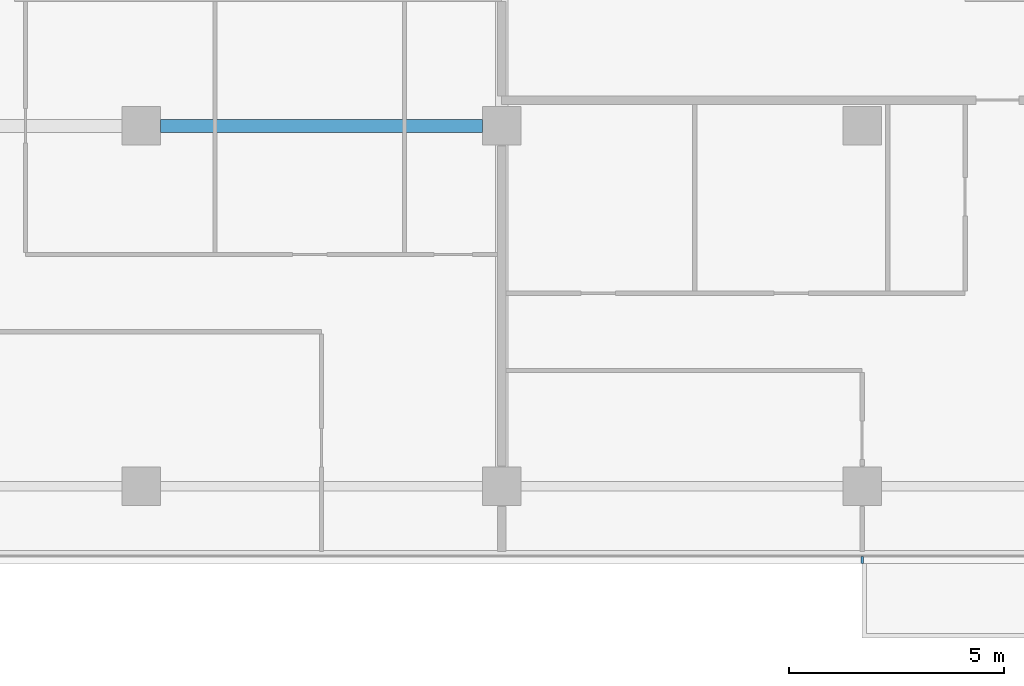
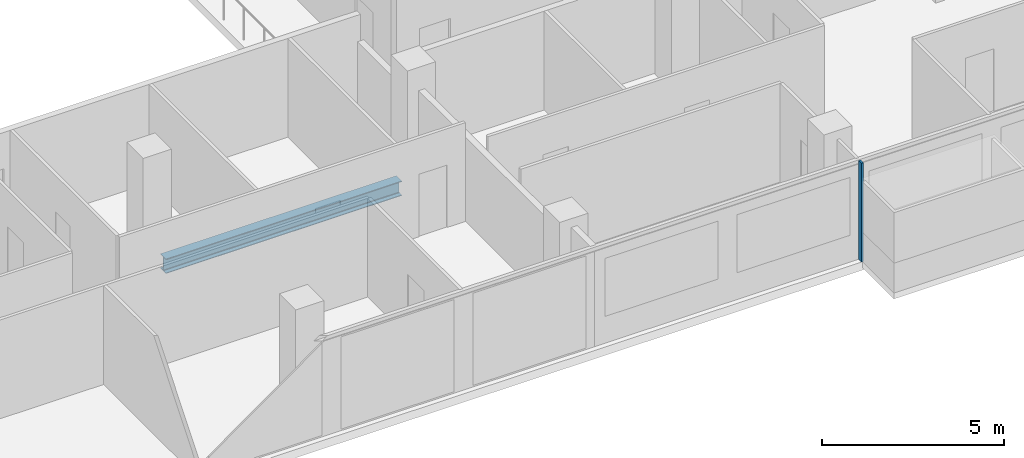
# One storey, part 6 of 29: 1 beam, 1 member, 1 element without a shape of its own.
"""IFC4 building model written with IfcOpenShell, lengths in metres."""

from ifc_helpers import new_model, si_unit, direction, frame, origin, origin_2d, place, context, subcontext, project, spatial, rectangle, i_section, extrude, material, material_profile, profile_set, type_object, element, aggregate, save


model = new_model("IFC4")

# Units and contexts
model_context = context("Model", 3, precision=1e-05, world=origin(), true_north=direction((0.0, 1.0)))
body_context = subcontext(model_context, "Body", "Model", "MODEL_VIEW")
ifc_project = project(units=[si_unit("LENGTHUNIT", "METRE"), si_unit("AREAUNIT", "SQUARE_METRE"), si_unit("VOLUMEUNIT", "CUBIC_METRE"), si_unit("PLANEANGLEUNIT", "RADIAN"), si_unit("MASSUNIT", "GRAM", prefix="KILO")], contexts=[model_context])

# Site, building, storey
site_placement = place(None, origin())
site = spatial("IfcSite", under=ifc_project, at=site_placement, CompositionType="ELEMENT")
building_placement = place(site_placement, origin())
building = spatial("IfcBuilding", under=site, at=building_placement, Name="Saffron Gate Tower", CompositionType="ELEMENT")
storey_placement = place(building_placement, frame((0.0, 0.0, 58.800048828125)))
storey = spatial("IfcBuildingStorey", under=building, at=storey_placement, Name="L13", CompositionType="ELEMENT", Elevation=58.800048828125)

# Beam
ifc_material_1 = material(Name="Structural steel S355", Category="steel")
ifc_material_profile_1 = material_profile(ifc_material_1, i_section(OverallWidth=0.300048828125, OverallDepth=0.489990234375, WebThickness=0.011962890625, FlangeThickness=0.02294921875, FilletRadius=0.027099609375, at=origin_2d()))
ifc_profile_set_1 = profile_set([ifc_material_profile_1], Name="Structural steel S355")
beam_type = type_object("IfcBeamType", Name="B8 HEA 500", PredefinedType="BEAM", material=ifc_profile_set_1)
beam_placement = place(storey_placement, frame((92.25, 40.199951171875, -0.525146484375), z_axis=(1.0, 0.0, 0.0), x_axis=(0.0, 1.0, 0.0)))
element("IfcBeam", 1, at=beam_placement, inside=storey, type_object=beam_type, Name="B8 FLOOR GIRDER", PredefinedType="BEAM", context=body_context, shape_type="SweptSolid", body=[
    extrude(i_section(OverallWidth=0.300048828125, OverallDepth=0.489990234375, WebThickness=0.011962890625, FlangeThickness=0.02294921875, FilletRadius=0.027099609375, at=origin_2d()), origin(), (0.0, 0.0, 1.0), 7.5),
])

# Curtain wall, member
ifc_material_2 = material(Name="Aluminium, bronze anodised", Category="aluminium")
curtain_wall_type = type_object("IfcCurtainWallType", Name="CWS1 curtain wall front facade", PredefinedType="NOTDEFINED", material=ifc_material_2)
curtain_wall_placement = place(storey_placement, origin())
curtain_wall = element("IfcCurtainWall", 2, at=curtain_wall_placement, inside=storey, type_object=curtain_wall_type, Name="CWS1 run 1", PredefinedType="NOTDEFINED")
ifc_material_profile_2 = material_profile(ifc_material_2, rectangle(XDim=0.159912109375, YDim=0.06005859375, at=origin_2d()))
ifc_profile_set_2 = profile_set([ifc_material_profile_2], Name="Aluminium, bronze anodised")
member_type = type_object("IfcMemberType", Name="CWS1 mullion 60x160", PredefinedType="MULLION", material=ifc_profile_set_2)
member_placement = place(storey_placement, frame((108.60009765625, 30.080078125, 0.0), z_axis=(0.0, 0.0, 1.0), x_axis=(0.0, 1.0, 0.0)))
member = element("IfcMember", 3, at=member_placement, type_object=member_type, Name="CWS1 mullion 8", PredefinedType="MULLION", context=body_context, shape_type="SweptSolid", body=[
    extrude(rectangle(XDim=0.159912109375, YDim=0.06005859375, at=origin_2d()), origin(), (0.0, 0.0, 1.0), 3.320068359375),
])
aggregate(curtain_wall, [member])

save(model, "model.ifc")
